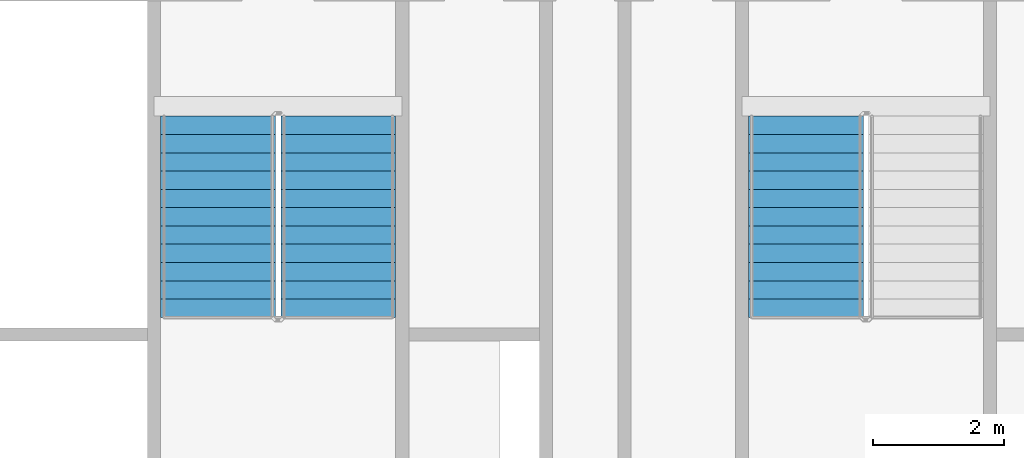
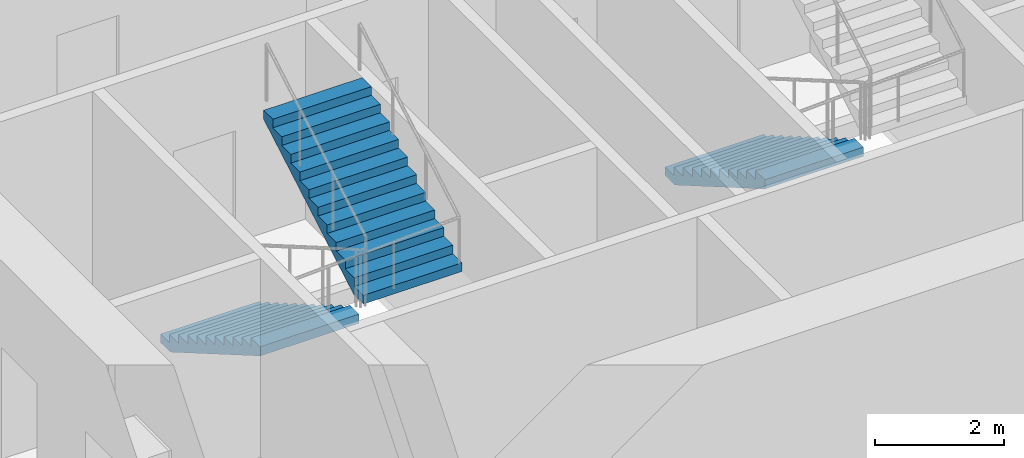
# One storey, part 15 of 22: 3 stair flights, 2 elements without a shape of their own.
"""IFC4 building model written with IfcOpenShell, lengths in metres."""

from ifc_helpers import new_model, si_unit, direction, frame, origin, place, context, subcontext, project, spatial, faceted_brep, material, type_object, element, aggregate, save


model = new_model("IFC4")

# Units and contexts
model_context = context("Model", 3, precision=1e-05, world=origin(), true_north=direction((0.0, 1.0)))
body_context = subcontext(model_context, "Body", "Model", "MODEL_VIEW")
ifc_project = project(units=[si_unit("LENGTHUNIT", "METRE"), si_unit("AREAUNIT", "SQUARE_METRE"), si_unit("VOLUMEUNIT", "CUBIC_METRE"), si_unit("PLANEANGLEUNIT", "RADIAN"), si_unit("MASSUNIT", "GRAM", prefix="KILO")], contexts=[model_context])

# Site, building, storey
site_placement = place(None, origin())
site = spatial("IfcSite", under=ifc_project, at=site_placement, CompositionType="ELEMENT")
building_placement = place(site_placement, origin())
building = spatial("IfcBuilding", under=site, at=building_placement, Name="Tarsis Ring Headquarters", CompositionType="ELEMENT")
storey_placement = place(building_placement, frame((0.0, 0.0, 71.199951171875)))
storey = spatial("IfcBuildingStorey", under=building, at=storey_placement, Name="L15", CompositionType="ELEMENT", Elevation=71.199951171875)

# Stair, stair flights
ifc_material_1 = material(Name="Core stair 1760")
stair_type = type_object("IfcStairType", Name="Core stair 1760", PredefinedType="HALF_TURN_STAIR", material=ifc_material_1)
stair_1_placement = place(storey_placement, origin())
stair_1 = element("IfcStair", 1, at=stair_1_placement, inside=storey, type_object=stair_type, Name="L15 Exit stair C", PredefinedType="HALF_TURN_STAIR")
ifc_material_2 = material(Name="Concrete C40/50", Category="concrete")
stair_flight_type = type_object("IfcStairFlightType", Name="Core stair flight 1760", PredefinedType="STRAIGHT", material=ifc_material_2)
stair_flight_1_placement = place(storey_placement, frame((-5.419921875, -3.659912109375, 0.0), z_axis=(0.0, 0.0, 1.0), x_axis=(0.0, -1.0, 0.0)))
stair_flight_1 = element("IfcStairFlight", 2, at=stair_flight_1_placement, type_object=stair_flight_type, Name="Stair ST3 flight 1", NumberOfRisers=12, NumberOfTreads=11, PredefinedType="STRAIGHT", RiserHeight=0.1625, TreadLength=0.28, context=body_context, shape_type="Brep", body=[
    faceted_brep([(0.0, 0.8798828125, 0.0), (0.0, 0.8798828125, 0.16259765625), (0.280029296875, 0.8798828125, 0.16259765625), (0.280029296875, 0.8798828125, 0.324951171875), (0.56005859375, 0.8798828125, 0.324951171875), (0.56005859375, 0.8798828125, 0.487548828125), (0.840087890625, 0.8798828125, 0.487548828125), (0.840087890625, 0.8798828125, 0.64990234375), (1.1201171875, 0.8798828125, 0.64990234375), (1.1201171875, 0.8798828125, 0.8125), (1.39990234375, 0.8798828125, 0.8125), (1.39990234375, 0.8798828125, 0.97509765625), (1.679931640625, 0.8798828125, 0.97509765625), (1.679931640625, 0.8798828125, 1.137451171875), (1.9599609375, 0.8798828125, 1.137451171875), (1.9599609375, 0.8798828125, 1.300048828125), (2.239990234375, 0.8798828125, 1.300048828125), (2.239990234375, 0.8798828125, 1.46240234375), (2.52001953125, 0.8798828125, 1.46240234375), (2.52001953125, 0.8798828125, 1.625), (2.800048828125, 0.8798828125, 1.625), (2.800048828125, 0.8798828125, 1.78759765625), (3.080078125, 0.8798828125, 1.78759765625), (3.080078125, 0.8798828125, 1.6142578125), (0.298583984375, 0.8798828125, 0.0), (0.298583984375, -0.8798828125, 0.0), (3.080078125, -0.8798828125, 1.6142578125), (3.080078125, -0.8798828125, 1.78759765625), (2.800048828125, -0.8798828125, 1.78759765625), (2.800048828125, -0.8798828125, 1.625), (2.52001953125, -0.8798828125, 1.625), (2.52001953125, -0.8798828125, 1.46240234375), (2.239990234375, -0.8798828125, 1.46240234375), (2.239990234375, -0.8798828125, 1.300048828125), (1.9599609375, -0.8798828125, 1.300048828125), (1.9599609375, -0.8798828125, 1.137451171875), (1.679931640625, -0.8798828125, 1.137451171875), (1.679931640625, -0.8798828125, 0.97509765625), (1.39990234375, -0.8798828125, 0.97509765625), (1.39990234375, -0.8798828125, 0.8125), (1.1201171875, -0.8798828125, 0.8125), (1.1201171875, -0.8798828125, 0.64990234375), (0.840087890625, -0.8798828125, 0.64990234375), (0.840087890625, -0.8798828125, 0.487548828125), (0.56005859375, -0.8798828125, 0.487548828125), (0.56005859375, -0.8798828125, 0.324951171875), (0.280029296875, -0.8798828125, 0.324951171875), (0.280029296875, -0.8798828125, 0.16259765625), (0.0, -0.8798828125, 0.16259765625), (0.0, -0.8798828125, 0.0), (0.0, -0.43994140625, 0.16259765625), (0.0, -0.43994140625, 0.0), (0.0, 0.0, 0.16259765625), (0.0, 0.0, 0.0), (0.0, 0.43994140625, 0.16259765625), (0.0, 0.43994140625, 0.0), (0.280029296875, -0.43994140625, 0.16259765625), (0.280029296875, 0.0, 0.16259765625), (0.280029296875, 0.43994140625, 0.16259765625), (0.280029296875, -0.43994140625, 0.324951171875), (0.280029296875, 0.0, 0.324951171875), (0.280029296875, 0.43994140625, 0.324951171875), (0.56005859375, -0.43994140625, 0.324951171875), (0.56005859375, 0.0, 0.324951171875), (0.56005859375, 0.43994140625, 0.324951171875), (0.56005859375, -0.43994140625, 0.487548828125), (0.56005859375, 0.0, 0.487548828125), (0.56005859375, 0.43994140625, 0.487548828125), (0.840087890625, -0.43994140625, 0.487548828125), (0.840087890625, 0.0, 0.487548828125), (0.840087890625, 0.43994140625, 0.487548828125), (0.840087890625, -0.43994140625, 0.64990234375), (0.840087890625, 0.0, 0.64990234375), (0.840087890625, 0.43994140625, 0.64990234375), (1.1201171875, -0.43994140625, 0.64990234375), (1.1201171875, 0.0, 0.64990234375), (1.1201171875, 0.43994140625, 0.64990234375), (1.1201171875, -0.43994140625, 0.8125), (1.1201171875, 0.0, 0.8125), (1.1201171875, 0.43994140625, 0.8125), (1.39990234375, -0.43994140625, 0.8125), (1.39990234375, 0.0, 0.8125), (1.39990234375, 0.43994140625, 0.8125), (1.39990234375, -0.43994140625, 0.97509765625), (1.39990234375, 0.0, 0.97509765625), (1.39990234375, 0.43994140625, 0.97509765625), (1.679931640625, -0.43994140625, 0.97509765625), (1.679931640625, 0.0, 0.97509765625), (1.679931640625, 0.43994140625, 0.97509765625), (1.679931640625, -0.43994140625, 1.137451171875), (1.679931640625, 0.0, 1.137451171875), (1.679931640625, 0.43994140625, 1.137451171875), (1.9599609375, -0.43994140625, 1.137451171875), (1.9599609375, 0.0, 1.137451171875), (1.9599609375, 0.43994140625, 1.137451171875), (1.9599609375, -0.43994140625, 1.300048828125), (1.9599609375, 0.0, 1.300048828125), (1.9599609375, 0.43994140625, 1.300048828125), (2.239990234375, -0.43994140625, 1.300048828125), (2.239990234375, 0.0, 1.300048828125), (2.239990234375, 0.43994140625, 1.300048828125), (2.239990234375, -0.43994140625, 1.46240234375), (2.239990234375, 0.0, 1.46240234375), (2.239990234375, 0.43994140625, 1.46240234375), (2.52001953125, -0.43994140625, 1.46240234375), (2.52001953125, 0.0, 1.46240234375), (2.52001953125, 0.43994140625, 1.46240234375), (2.52001953125, -0.43994140625, 1.625), (2.52001953125, 0.0, 1.625), (2.52001953125, 0.43994140625, 1.625), (2.800048828125, -0.43994140625, 1.625), (2.800048828125, 0.0, 1.625), (2.800048828125, 0.43994140625, 1.625), (2.800048828125, -0.43994140625, 1.78759765625), (2.800048828125, 0.0, 1.78759765625), (2.800048828125, 0.43994140625, 1.78759765625), (3.080078125, -0.43994140625, 1.78759765625), (3.080078125, 0.0, 1.78759765625), (3.080078125, 0.43994140625, 1.78759765625), (3.080078125, -0.43994140625, 1.6142578125), (3.080078125, 0.0, 1.6142578125), (3.080078125, 0.43994140625, 1.6142578125), (0.298583984375, -0.43994140625, 0.0), (0.298583984375, 0.0, 0.0), (0.298583984375, 0.43994140625, 0.0)], [[[0, 1, 2, 3, 4, 5, 6, 7, 8, 9, 10, 11, 12, 13, 14, 15, 16, 17, 18, 19, 20, 21, 22, 23, 24]], [[25, 26, 27, 28, 29, 30, 31, 32, 33, 34, 35, 36, 37, 38, 39, 40, 41, 42, 43, 44, 45, 46, 47, 48, 49]], [[49, 48, 50, 51]], [[51, 50, 52, 53]], [[53, 52, 54, 55]], [[55, 54, 1, 0]], [[48, 47, 56, 50]], [[50, 56, 57, 52]], [[52, 57, 58, 54]], [[54, 58, 2, 1]], [[47, 46, 59, 56]], [[56, 59, 60, 57]], [[57, 60, 61, 58]], [[58, 61, 3, 2]], [[46, 45, 62, 59]], [[59, 62, 63, 60]], [[60, 63, 64, 61]], [[61, 64, 4, 3]], [[45, 44, 65, 62]], [[62, 65, 66, 63]], [[63, 66, 67, 64]], [[64, 67, 5, 4]], [[44, 43, 68, 65]], [[65, 68, 69, 66]], [[66, 69, 70, 67]], [[67, 70, 6, 5]], [[43, 42, 71, 68]], [[68, 71, 72, 69]], [[69, 72, 73, 70]], [[70, 73, 7, 6]], [[42, 41, 74, 71]], [[71, 74, 75, 72]], [[72, 75, 76, 73]], [[73, 76, 8, 7]], [[41, 40, 77, 74]], [[74, 77, 78, 75]], [[75, 78, 79, 76]], [[76, 79, 9, 8]], [[40, 39, 80, 77]], [[77, 80, 81, 78]], [[78, 81, 82, 79]], [[79, 82, 10, 9]], [[39, 38, 83, 80]], [[80, 83, 84, 81]], [[81, 84, 85, 82]], [[82, 85, 11, 10]], [[38, 37, 86, 83]], [[83, 86, 87, 84]], [[84, 87, 88, 85]], [[85, 88, 12, 11]], [[37, 36, 89, 86]], [[86, 89, 90, 87]], [[87, 90, 91, 88]], [[88, 91, 13, 12]], [[36, 35, 92, 89]], [[89, 92, 93, 90]], [[90, 93, 94, 91]], [[91, 94, 14, 13]], [[35, 34, 95, 92]], [[92, 95, 96, 93]], [[93, 96, 97, 94]], [[94, 97, 15, 14]], [[34, 33, 98, 95]], [[95, 98, 99, 96]], [[96, 99, 100, 97]], [[97, 100, 16, 15]], [[33, 32, 101, 98]], [[98, 101, 102, 99]], [[99, 102, 103, 100]], [[100, 103, 17, 16]], [[32, 31, 104, 101]], [[101, 104, 105, 102]], [[102, 105, 106, 103]], [[103, 106, 18, 17]], [[31, 30, 107, 104]], [[104, 107, 108, 105]], [[105, 108, 109, 106]], [[106, 109, 19, 18]], [[30, 29, 110, 107]], [[107, 110, 111, 108]], [[108, 111, 112, 109]], [[109, 112, 20, 19]], [[29, 28, 113, 110]], [[110, 113, 114, 111]], [[111, 114, 115, 112]], [[112, 115, 21, 20]], [[28, 27, 116, 113]], [[113, 116, 117, 114]], [[114, 117, 118, 115]], [[115, 118, 22, 21]], [[27, 26, 119, 116]], [[116, 119, 120, 117]], [[117, 120, 121, 118]], [[118, 121, 23, 22]], [[26, 25, 122, 119]], [[119, 122, 123, 120]], [[120, 123, 124, 121]], [[121, 124, 24, 23]], [[25, 49, 51, 122]], [[122, 51, 53, 123]], [[123, 53, 55, 124]], [[124, 55, 0, 24]]]),
])
stair_flight_2_placement = place(storey_placement, frame((-3.580078125, -6.739990234375, 1.949951171875), z_axis=(0.0, 0.0, 1.0), x_axis=(0.0, 1.0, 0.0)))
stair_flight_2 = element("IfcStairFlight", 3, at=stair_flight_2_placement, type_object=stair_flight_type, Name="Stair ST3 flight 2", NumberOfRisers=12, NumberOfTreads=11, PredefinedType="STRAIGHT", RiserHeight=0.1625, TreadLength=0.28, context=body_context, shape_type="Brep", body=[
    faceted_brep([(0.0, 0.8798828125, 0.0), (0.0, 0.8798828125, 0.16259765625), (0.280029296875, 0.8798828125, 0.16259765625), (0.280029296875, 0.8798828125, 0.324951171875), (0.56005859375, 0.8798828125, 0.324951171875), (0.56005859375, 0.8798828125, 0.487548828125), (0.840087890625, 0.8798828125, 0.487548828125), (0.840087890625, 0.8798828125, 0.64990234375), (1.1201171875, 0.8798828125, 0.64990234375), (1.1201171875, 0.8798828125, 0.8125), (1.39990234375, 0.8798828125, 0.8125), (1.39990234375, 0.8798828125, 0.97509765625), (1.679931640625, 0.8798828125, 0.97509765625), (1.679931640625, 0.8798828125, 1.137451171875), (1.9599609375, 0.8798828125, 1.137451171875), (1.9599609375, 0.8798828125, 1.300048828125), (2.239990234375, 0.8798828125, 1.300048828125), (2.239990234375, 0.8798828125, 1.46240234375), (2.52001953125, 0.8798828125, 1.46240234375), (2.52001953125, 0.8798828125, 1.625), (2.800048828125, 0.8798828125, 1.625), (2.800048828125, 0.8798828125, 1.78759765625), (3.080078125, 0.8798828125, 1.78759765625), (3.080078125, 0.8798828125, 1.6142578125), (0.298583984375, 0.8798828125, 0.0), (0.298583984375, -0.8798828125, 0.0), (3.080078125, -0.8798828125, 1.6142578125), (3.080078125, -0.8798828125, 1.78759765625), (2.800048828125, -0.8798828125, 1.78759765625), (2.800048828125, -0.8798828125, 1.625), (2.52001953125, -0.8798828125, 1.625), (2.52001953125, -0.8798828125, 1.46240234375), (2.239990234375, -0.8798828125, 1.46240234375), (2.239990234375, -0.8798828125, 1.300048828125), (1.9599609375, -0.8798828125, 1.300048828125), (1.9599609375, -0.8798828125, 1.137451171875), (1.679931640625, -0.8798828125, 1.137451171875), (1.679931640625, -0.8798828125, 0.97509765625), (1.39990234375, -0.8798828125, 0.97509765625), (1.39990234375, -0.8798828125, 0.8125), (1.1201171875, -0.8798828125, 0.8125), (1.1201171875, -0.8798828125, 0.64990234375), (0.840087890625, -0.8798828125, 0.64990234375), (0.840087890625, -0.8798828125, 0.487548828125), (0.56005859375, -0.8798828125, 0.487548828125), (0.56005859375, -0.8798828125, 0.324951171875), (0.280029296875, -0.8798828125, 0.324951171875), (0.280029296875, -0.8798828125, 0.16259765625), (0.0, -0.8798828125, 0.16259765625), (0.0, -0.8798828125, 0.0), (0.0, -0.43994140625, 0.16259765625), (0.0, -0.43994140625, 0.0), (0.0, 0.0, 0.16259765625), (0.0, 0.0, 0.0), (0.0, 0.43994140625, 0.16259765625), (0.0, 0.43994140625, 0.0), (0.280029296875, -0.43994140625, 0.16259765625), (0.280029296875, 0.0, 0.16259765625), (0.280029296875, 0.43994140625, 0.16259765625), (0.280029296875, -0.43994140625, 0.324951171875), (0.280029296875, 0.0, 0.324951171875), (0.280029296875, 0.43994140625, 0.324951171875), (0.56005859375, -0.43994140625, 0.324951171875), (0.56005859375, 0.0, 0.324951171875), (0.56005859375, 0.43994140625, 0.324951171875), (0.56005859375, -0.43994140625, 0.487548828125), (0.56005859375, 0.0, 0.487548828125), (0.56005859375, 0.43994140625, 0.487548828125), (0.840087890625, -0.43994140625, 0.487548828125), (0.840087890625, 0.0, 0.487548828125), (0.840087890625, 0.43994140625, 0.487548828125), (0.840087890625, -0.43994140625, 0.64990234375), (0.840087890625, 0.0, 0.64990234375), (0.840087890625, 0.43994140625, 0.64990234375), (1.1201171875, -0.43994140625, 0.64990234375), (1.1201171875, 0.0, 0.64990234375), (1.1201171875, 0.43994140625, 0.64990234375), (1.1201171875, -0.43994140625, 0.8125), (1.1201171875, 0.0, 0.8125), (1.1201171875, 0.43994140625, 0.8125), (1.39990234375, -0.43994140625, 0.8125), (1.39990234375, 0.0, 0.8125), (1.39990234375, 0.43994140625, 0.8125), (1.39990234375, -0.43994140625, 0.97509765625), (1.39990234375, 0.0, 0.97509765625), (1.39990234375, 0.43994140625, 0.97509765625), (1.679931640625, -0.43994140625, 0.97509765625), (1.679931640625, 0.0, 0.97509765625), (1.679931640625, 0.43994140625, 0.97509765625), (1.679931640625, -0.43994140625, 1.137451171875), (1.679931640625, 0.0, 1.137451171875), (1.679931640625, 0.43994140625, 1.137451171875), (1.9599609375, -0.43994140625, 1.137451171875), (1.9599609375, 0.0, 1.137451171875), (1.9599609375, 0.43994140625, 1.137451171875), (1.9599609375, -0.43994140625, 1.300048828125), (1.9599609375, 0.0, 1.300048828125), (1.9599609375, 0.43994140625, 1.300048828125), (2.239990234375, -0.43994140625, 1.300048828125), (2.239990234375, 0.0, 1.300048828125), (2.239990234375, 0.43994140625, 1.300048828125), (2.239990234375, -0.43994140625, 1.46240234375), (2.239990234375, 0.0, 1.46240234375), (2.239990234375, 0.43994140625, 1.46240234375), (2.52001953125, -0.43994140625, 1.46240234375), (2.52001953125, 0.0, 1.46240234375), (2.52001953125, 0.43994140625, 1.46240234375), (2.52001953125, -0.43994140625, 1.625), (2.52001953125, 0.0, 1.625), (2.52001953125, 0.43994140625, 1.625), (2.800048828125, -0.43994140625, 1.625), (2.800048828125, 0.0, 1.625), (2.800048828125, 0.43994140625, 1.625), (2.800048828125, -0.43994140625, 1.78759765625), (2.800048828125, 0.0, 1.78759765625), (2.800048828125, 0.43994140625, 1.78759765625), (3.080078125, -0.43994140625, 1.78759765625), (3.080078125, 0.0, 1.78759765625), (3.080078125, 0.43994140625, 1.78759765625), (3.080078125, -0.43994140625, 1.6142578125), (3.080078125, 0.0, 1.6142578125), (3.080078125, 0.43994140625, 1.6142578125), (0.298583984375, -0.43994140625, 0.0), (0.298583984375, 0.0, 0.0), (0.298583984375, 0.43994140625, 0.0)], [[[0, 1, 2, 3, 4, 5, 6, 7, 8, 9, 10, 11, 12, 13, 14, 15, 16, 17, 18, 19, 20, 21, 22, 23, 24]], [[25, 26, 27, 28, 29, 30, 31, 32, 33, 34, 35, 36, 37, 38, 39, 40, 41, 42, 43, 44, 45, 46, 47, 48, 49]], [[49, 48, 50, 51]], [[51, 50, 52, 53]], [[53, 52, 54, 55]], [[55, 54, 1, 0]], [[48, 47, 56, 50]], [[50, 56, 57, 52]], [[52, 57, 58, 54]], [[54, 58, 2, 1]], [[47, 46, 59, 56]], [[56, 59, 60, 57]], [[57, 60, 61, 58]], [[58, 61, 3, 2]], [[46, 45, 62, 59]], [[59, 62, 63, 60]], [[60, 63, 64, 61]], [[61, 64, 4, 3]], [[45, 44, 65, 62]], [[62, 65, 66, 63]], [[63, 66, 67, 64]], [[64, 67, 5, 4]], [[44, 43, 68, 65]], [[65, 68, 69, 66]], [[66, 69, 70, 67]], [[67, 70, 6, 5]], [[43, 42, 71, 68]], [[68, 71, 72, 69]], [[69, 72, 73, 70]], [[70, 73, 7, 6]], [[42, 41, 74, 71]], [[71, 74, 75, 72]], [[72, 75, 76, 73]], [[73, 76, 8, 7]], [[41, 40, 77, 74]], [[74, 77, 78, 75]], [[75, 78, 79, 76]], [[76, 79, 9, 8]], [[40, 39, 80, 77]], [[77, 80, 81, 78]], [[78, 81, 82, 79]], [[79, 82, 10, 9]], [[39, 38, 83, 80]], [[80, 83, 84, 81]], [[81, 84, 85, 82]], [[82, 85, 11, 10]], [[38, 37, 86, 83]], [[83, 86, 87, 84]], [[84, 87, 88, 85]], [[85, 88, 12, 11]], [[37, 36, 89, 86]], [[86, 89, 90, 87]], [[87, 90, 91, 88]], [[88, 91, 13, 12]], [[36, 35, 92, 89]], [[89, 92, 93, 90]], [[90, 93, 94, 91]], [[91, 94, 14, 13]], [[35, 34, 95, 92]], [[92, 95, 96, 93]], [[93, 96, 97, 94]], [[94, 97, 15, 14]], [[34, 33, 98, 95]], [[95, 98, 99, 96]], [[96, 99, 100, 97]], [[97, 100, 16, 15]], [[33, 32, 101, 98]], [[98, 101, 102, 99]], [[99, 102, 103, 100]], [[100, 103, 17, 16]], [[32, 31, 104, 101]], [[101, 104, 105, 102]], [[102, 105, 106, 103]], [[103, 106, 18, 17]], [[31, 30, 107, 104]], [[104, 107, 108, 105]], [[105, 108, 109, 106]], [[106, 109, 19, 18]], [[30, 29, 110, 107]], [[107, 110, 111, 108]], [[108, 111, 112, 109]], [[109, 112, 20, 19]], [[29, 28, 113, 110]], [[110, 113, 114, 111]], [[111, 114, 115, 112]], [[112, 115, 21, 20]], [[28, 27, 116, 113]], [[113, 116, 117, 114]], [[114, 117, 118, 115]], [[115, 118, 22, 21]], [[27, 26, 119, 116]], [[116, 119, 120, 117]], [[117, 120, 121, 118]], [[118, 121, 23, 22]], [[26, 25, 122, 119]], [[119, 122, 123, 120]], [[120, 123, 124, 121]], [[121, 124, 24, 23]], [[25, 49, 51, 122]], [[122, 51, 53, 123]], [[123, 53, 55, 124]], [[124, 55, 0, 24]]]),
])
aggregate(stair_1, [stair_flight_1, stair_flight_2])

# Stair, stair flight
stair_2_placement = place(storey_placement, origin())
stair_2 = element("IfcStair", 4, at=stair_2_placement, inside=storey, type_object=stair_type, Name="L15 Exit stair D", PredefinedType="HALF_TURN_STAIR")
stair_flight_3_placement = place(storey_placement, frame((3.580078125, -3.659912109375, 0.0), z_axis=(0.0, 0.0, 1.0), x_axis=(0.0, -1.0, 0.0)))
stair_flight_3 = element("IfcStairFlight", 5, at=stair_flight_3_placement, type_object=stair_flight_type, Name="Stair ST4 flight 1", NumberOfRisers=12, NumberOfTreads=11, PredefinedType="STRAIGHT", RiserHeight=0.1625, TreadLength=0.28, context=body_context, shape_type="Brep", body=[
    faceted_brep([(0.0, 0.8798828125, 0.0), (0.0, 0.8798828125, 0.16259765625), (0.280029296875, 0.8798828125, 0.16259765625), (0.280029296875, 0.8798828125, 0.324951171875), (0.56005859375, 0.8798828125, 0.324951171875), (0.56005859375, 0.8798828125, 0.487548828125), (0.840087890625, 0.8798828125, 0.487548828125), (0.840087890625, 0.8798828125, 0.64990234375), (1.1201171875, 0.8798828125, 0.64990234375), (1.1201171875, 0.8798828125, 0.8125), (1.39990234375, 0.8798828125, 0.8125), (1.39990234375, 0.8798828125, 0.97509765625), (1.679931640625, 0.8798828125, 0.97509765625), (1.679931640625, 0.8798828125, 1.137451171875), (1.9599609375, 0.8798828125, 1.137451171875), (1.9599609375, 0.8798828125, 1.300048828125), (2.239990234375, 0.8798828125, 1.300048828125), (2.239990234375, 0.8798828125, 1.46240234375), (2.52001953125, 0.8798828125, 1.46240234375), (2.52001953125, 0.8798828125, 1.625), (2.800048828125, 0.8798828125, 1.625), (2.800048828125, 0.8798828125, 1.78759765625), (3.080078125, 0.8798828125, 1.78759765625), (3.080078125, 0.8798828125, 1.6142578125), (0.298583984375, 0.8798828125, 0.0), (0.298583984375, -0.8798828125, 0.0), (3.080078125, -0.8798828125, 1.6142578125), (3.080078125, -0.8798828125, 1.78759765625), (2.800048828125, -0.8798828125, 1.78759765625), (2.800048828125, -0.8798828125, 1.625), (2.52001953125, -0.8798828125, 1.625), (2.52001953125, -0.8798828125, 1.46240234375), (2.239990234375, -0.8798828125, 1.46240234375), (2.239990234375, -0.8798828125, 1.300048828125), (1.9599609375, -0.8798828125, 1.300048828125), (1.9599609375, -0.8798828125, 1.137451171875), (1.679931640625, -0.8798828125, 1.137451171875), (1.679931640625, -0.8798828125, 0.97509765625), (1.39990234375, -0.8798828125, 0.97509765625), (1.39990234375, -0.8798828125, 0.8125), (1.1201171875, -0.8798828125, 0.8125), (1.1201171875, -0.8798828125, 0.64990234375), (0.840087890625, -0.8798828125, 0.64990234375), (0.840087890625, -0.8798828125, 0.487548828125), (0.56005859375, -0.8798828125, 0.487548828125), (0.56005859375, -0.8798828125, 0.324951171875), (0.280029296875, -0.8798828125, 0.324951171875), (0.280029296875, -0.8798828125, 0.16259765625), (0.0, -0.8798828125, 0.16259765625), (0.0, -0.8798828125, 0.0), (0.0, -0.43994140625, 0.16259765625), (0.0, -0.43994140625, 0.0), (0.0, 0.0, 0.16259765625), (0.0, 0.0, 0.0), (0.0, 0.43994140625, 0.16259765625), (0.0, 0.43994140625, 0.0), (0.280029296875, -0.43994140625, 0.16259765625), (0.280029296875, 0.0, 0.16259765625), (0.280029296875, 0.43994140625, 0.16259765625), (0.280029296875, -0.43994140625, 0.324951171875), (0.280029296875, 0.0, 0.324951171875), (0.280029296875, 0.43994140625, 0.324951171875), (0.56005859375, -0.43994140625, 0.324951171875), (0.56005859375, 0.0, 0.324951171875), (0.56005859375, 0.43994140625, 0.324951171875), (0.56005859375, -0.43994140625, 0.487548828125), (0.56005859375, 0.0, 0.487548828125), (0.56005859375, 0.43994140625, 0.487548828125), (0.840087890625, -0.43994140625, 0.487548828125), (0.840087890625, 0.0, 0.487548828125), (0.840087890625, 0.43994140625, 0.487548828125), (0.840087890625, -0.43994140625, 0.64990234375), (0.840087890625, 0.0, 0.64990234375), (0.840087890625, 0.43994140625, 0.64990234375), (1.1201171875, -0.43994140625, 0.64990234375), (1.1201171875, 0.0, 0.64990234375), (1.1201171875, 0.43994140625, 0.64990234375), (1.1201171875, -0.43994140625, 0.8125), (1.1201171875, 0.0, 0.8125), (1.1201171875, 0.43994140625, 0.8125), (1.39990234375, -0.43994140625, 0.8125), (1.39990234375, 0.0, 0.8125), (1.39990234375, 0.43994140625, 0.8125), (1.39990234375, -0.43994140625, 0.97509765625), (1.39990234375, 0.0, 0.97509765625), (1.39990234375, 0.43994140625, 0.97509765625), (1.679931640625, -0.43994140625, 0.97509765625), (1.679931640625, 0.0, 0.97509765625), (1.679931640625, 0.43994140625, 0.97509765625), (1.679931640625, -0.43994140625, 1.137451171875), (1.679931640625, 0.0, 1.137451171875), (1.679931640625, 0.43994140625, 1.137451171875), (1.9599609375, -0.43994140625, 1.137451171875), (1.9599609375, 0.0, 1.137451171875), (1.9599609375, 0.43994140625, 1.137451171875), (1.9599609375, -0.43994140625, 1.300048828125), (1.9599609375, 0.0, 1.300048828125), (1.9599609375, 0.43994140625, 1.300048828125), (2.239990234375, -0.43994140625, 1.300048828125), (2.239990234375, 0.0, 1.300048828125), (2.239990234375, 0.43994140625, 1.300048828125), (2.239990234375, -0.43994140625, 1.46240234375), (2.239990234375, 0.0, 1.46240234375), (2.239990234375, 0.43994140625, 1.46240234375), (2.52001953125, -0.43994140625, 1.46240234375), (2.52001953125, 0.0, 1.46240234375), (2.52001953125, 0.43994140625, 1.46240234375), (2.52001953125, -0.43994140625, 1.625), (2.52001953125, 0.0, 1.625), (2.52001953125, 0.43994140625, 1.625), (2.800048828125, -0.43994140625, 1.625), (2.800048828125, 0.0, 1.625), (2.800048828125, 0.43994140625, 1.625), (2.800048828125, -0.43994140625, 1.78759765625), (2.800048828125, 0.0, 1.78759765625), (2.800048828125, 0.43994140625, 1.78759765625), (3.080078125, -0.43994140625, 1.78759765625), (3.080078125, 0.0, 1.78759765625), (3.080078125, 0.43994140625, 1.78759765625), (3.080078125, -0.43994140625, 1.6142578125), (3.080078125, 0.0, 1.6142578125), (3.080078125, 0.43994140625, 1.6142578125), (0.298583984375, -0.43994140625, 0.0), (0.298583984375, 0.0, 0.0), (0.298583984375, 0.43994140625, 0.0)], [[[0, 1, 2, 3, 4, 5, 6, 7, 8, 9, 10, 11, 12, 13, 14, 15, 16, 17, 18, 19, 20, 21, 22, 23, 24]], [[25, 26, 27, 28, 29, 30, 31, 32, 33, 34, 35, 36, 37, 38, 39, 40, 41, 42, 43, 44, 45, 46, 47, 48, 49]], [[49, 48, 50, 51]], [[51, 50, 52, 53]], [[53, 52, 54, 55]], [[55, 54, 1, 0]], [[48, 47, 56, 50]], [[50, 56, 57, 52]], [[52, 57, 58, 54]], [[54, 58, 2, 1]], [[47, 46, 59, 56]], [[56, 59, 60, 57]], [[57, 60, 61, 58]], [[58, 61, 3, 2]], [[46, 45, 62, 59]], [[59, 62, 63, 60]], [[60, 63, 64, 61]], [[61, 64, 4, 3]], [[45, 44, 65, 62]], [[62, 65, 66, 63]], [[63, 66, 67, 64]], [[64, 67, 5, 4]], [[44, 43, 68, 65]], [[65, 68, 69, 66]], [[66, 69, 70, 67]], [[67, 70, 6, 5]], [[43, 42, 71, 68]], [[68, 71, 72, 69]], [[69, 72, 73, 70]], [[70, 73, 7, 6]], [[42, 41, 74, 71]], [[71, 74, 75, 72]], [[72, 75, 76, 73]], [[73, 76, 8, 7]], [[41, 40, 77, 74]], [[74, 77, 78, 75]], [[75, 78, 79, 76]], [[76, 79, 9, 8]], [[40, 39, 80, 77]], [[77, 80, 81, 78]], [[78, 81, 82, 79]], [[79, 82, 10, 9]], [[39, 38, 83, 80]], [[80, 83, 84, 81]], [[81, 84, 85, 82]], [[82, 85, 11, 10]], [[38, 37, 86, 83]], [[83, 86, 87, 84]], [[84, 87, 88, 85]], [[85, 88, 12, 11]], [[37, 36, 89, 86]], [[86, 89, 90, 87]], [[87, 90, 91, 88]], [[88, 91, 13, 12]], [[36, 35, 92, 89]], [[89, 92, 93, 90]], [[90, 93, 94, 91]], [[91, 94, 14, 13]], [[35, 34, 95, 92]], [[92, 95, 96, 93]], [[93, 96, 97, 94]], [[94, 97, 15, 14]], [[34, 33, 98, 95]], [[95, 98, 99, 96]], [[96, 99, 100, 97]], [[97, 100, 16, 15]], [[33, 32, 101, 98]], [[98, 101, 102, 99]], [[99, 102, 103, 100]], [[100, 103, 17, 16]], [[32, 31, 104, 101]], [[101, 104, 105, 102]], [[102, 105, 106, 103]], [[103, 106, 18, 17]], [[31, 30, 107, 104]], [[104, 107, 108, 105]], [[105, 108, 109, 106]], [[106, 109, 19, 18]], [[30, 29, 110, 107]], [[107, 110, 111, 108]], [[108, 111, 112, 109]], [[109, 112, 20, 19]], [[29, 28, 113, 110]], [[110, 113, 114, 111]], [[111, 114, 115, 112]], [[112, 115, 21, 20]], [[28, 27, 116, 113]], [[113, 116, 117, 114]], [[114, 117, 118, 115]], [[115, 118, 22, 21]], [[27, 26, 119, 116]], [[116, 119, 120, 117]], [[117, 120, 121, 118]], [[118, 121, 23, 22]], [[26, 25, 122, 119]], [[119, 122, 123, 120]], [[120, 123, 124, 121]], [[121, 124, 24, 23]], [[25, 49, 51, 122]], [[122, 51, 53, 123]], [[123, 53, 55, 124]], [[124, 55, 0, 24]]]),
])
aggregate(stair_2, [stair_flight_3])

save(model, "model.ifc")
